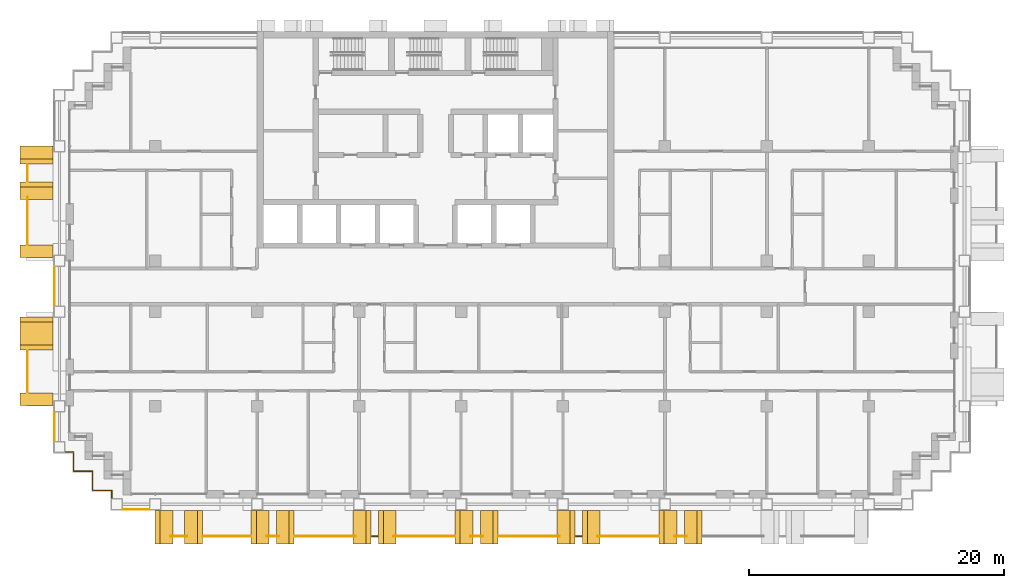
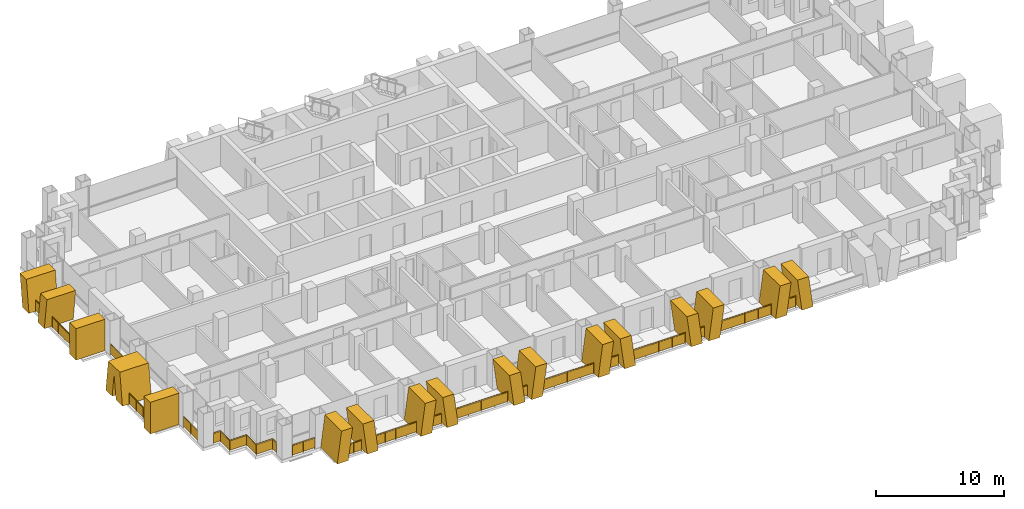
# One storey, part 15 of 19: 18 railings, 17 shading devices.
"""IFC4 building model written with IfcOpenShell, lengths in metres."""

from ifc_helpers import new_model, si_unit, direction, frame, origin, origin_2d, place, context, subcontext, project, spatial, polyline, rectangle, circle, outline, extrude, material, layer, layer_set, type_object, element, save


model = new_model("IFC4")

# Units and contexts
model_context = context("Model", 3, precision=1e-05, world=origin(), true_north=direction((0.0, 1.0)))
body_context = subcontext(model_context, "Body", "Model", "MODEL_VIEW")
ifc_project = project(units=[si_unit("LENGTHUNIT", "METRE"), si_unit("AREAUNIT", "SQUARE_METRE"), si_unit("VOLUMEUNIT", "CUBIC_METRE"), si_unit("PLANEANGLEUNIT", "RADIAN"), si_unit("MASSUNIT", "GRAM", prefix="KILO")], contexts=[model_context])

# Site, building, storey
site_placement = place(None, origin())
site = spatial("IfcSite", under=ifc_project, at=site_placement, CompositionType="ELEMENT")
building_placement = place(site_placement, origin())
building = spatial("IfcBuilding", under=site, at=building_placement, Name="Vidyagriha Tower", CompositionType="ELEMENT")
storey_placement = place(building_placement, frame((0.0, 0.0, 99.89990234375)))
storey = spatial("IfcBuildingStorey", under=building, at=storey_placement, Name="L26", CompositionType="ELEMENT", Elevation=99.89990234375)

# Railings
ifc_material_1 = material(Name="Steel ASTM A500 Grade C black painted", Category="steel")
railing_type_1 = type_object("IfcRailingType", Name="Balcony guard 1100", PredefinedType="BALUSTRADE", material=ifc_material_1)
railing_1_placement = place(storey_placement, frame((-32.0, 9.550048828125, 0.0)))
element("IfcRailing", 1, at=railing_1_placement, inside=storey, type_object=railing_type_1, Name="Balcony guard L26 R16.1-1", PredefinedType="BALUSTRADE", context=body_context, shape_type="SweptSolid", body=[
    extrude(circle(Radius=0.02490234375, at=origin_2d()), frame((0.0, 0.0, 1.0751953125), z_axis=(0.0, -1.0, 0.0), x_axis=(1.0, 0.0, 0.0)), (0.0, 0.0, 1.0), 1.300048828125),
    extrude(circle(Radius=0.02001953125, at=origin_2d()), origin(), (0.0, 0.0, 1.0), 1.050048828125),
    extrude(circle(Radius=0.02001953125, at=origin_2d()), frame((0.0, -0.64990234375, 0.0)), (0.0, 0.0, 1.0), 1.050048828125),
    extrude(circle(Radius=0.02001953125, at=origin_2d()), frame((0.0, -1.300048828125, 0.0)), (0.0, 0.0, 1.0), 1.050048828125),
    extrude(rectangle(XDim=0.010009765625, YDim=0.900146484375, at=origin_2d()), frame((0.0, 0.0, 0.550048828125), z_axis=(0.0, -1.0, 0.0), x_axis=(1.0, 0.0, 0.0)), (0.0, 0.0, 1.0), 1.300048828125),
])
railing_2_placement = place(storey_placement, frame((-32.0, 6.99658203125, 0.0)))
element("IfcRailing", 2, at=railing_2_placement, inside=storey, type_object=railing_type_1, Name="Balcony guard L26 R16.1-2", PredefinedType="BALUSTRADE", context=body_context, shape_type="SweptSolid", body=[
    extrude(circle(Radius=0.02490234375, at=origin_2d()), frame((0.0, 0.0, 1.0751953125), z_axis=(0.0, -1.0, 0.0), x_axis=(1.0, 0.0, 0.0)), (0.0, 0.0, 1.0), 3.696533203125),
    extrude(circle(Radius=0.02001953125, at=origin_2d()), origin(), (0.0, 0.0, 1.0), 1.050048828125),
    extrude(circle(Radius=0.02001953125, at=origin_2d()), frame((0.0, -0.924072265625, 0.0)), (0.0, 0.0, 1.0), 1.050048828125),
    extrude(circle(Radius=0.02001953125, at=origin_2d()), frame((0.0, -1.84814453125, 0.0)), (0.0, 0.0, 1.0), 1.050048828125),
    extrude(circle(Radius=0.02001953125, at=origin_2d()), frame((0.0, -2.7724609375, 0.0)), (0.0, 0.0, 1.0), 1.050048828125),
    extrude(circle(Radius=0.02001953125, at=origin_2d()), frame((0.0, -3.696533203125, 0.0)), (0.0, 0.0, 1.0), 1.050048828125),
    extrude(rectangle(XDim=0.010009765625, YDim=0.900146484375, at=origin_2d()), frame((0.0, 0.0, 0.550048828125), z_axis=(0.0, -1.0, 0.0), x_axis=(1.0, 0.0, 0.0)), (0.0, 0.0, 1.0), 3.696533203125),
])
railing_3_placement = place(storey_placement, frame((-32.0, -5.050048828125, 0.0)))
element("IfcRailing", 3, at=railing_3_placement, inside=storey, type_object=railing_type_1, Name="Balcony guard L26 R16.2-1", PredefinedType="BALUSTRADE", context=body_context, shape_type="SweptSolid", body=[
    extrude(circle(Radius=0.02490234375, at=origin_2d()), frame((0.0, 0.0, 1.0751953125), z_axis=(0.0, -1.0, 0.0), x_axis=(1.0, 0.0, 0.0)), (0.0, 0.0, 1.0), 3.25),
    extrude(circle(Radius=0.02001953125, at=origin_2d()), origin(), (0.0, 0.0, 1.0), 1.050048828125),
    extrude(circle(Radius=0.02001953125, at=origin_2d()), frame((0.0, -1.083251953125, 0.0)), (0.0, 0.0, 1.0), 1.050048828125),
    extrude(circle(Radius=0.02001953125, at=origin_2d()), frame((0.0, -2.166748046875, 0.0)), (0.0, 0.0, 1.0), 1.050048828125),
    extrude(circle(Radius=0.02001953125, at=origin_2d()), frame((0.0, -3.25, 0.0)), (0.0, 0.0, 1.0), 1.050048828125),
    extrude(rectangle(XDim=0.010009765625, YDim=0.900146484375, at=origin_2d()), frame((0.0, 0.0, 0.550048828125), z_axis=(0.0, -1.0, 0.0), x_axis=(1.0, 0.0, 0.0)), (0.0, 0.0, 1.0), 3.25),
])
railing_4_placement = place(storey_placement, frame((-20.80224609375, -19.60009765625, 0.0)))
element("IfcRailing", 4, at=railing_4_placement, inside=storey, type_object=railing_type_1, Name="Balcony guard L26 R23.1-1", PredefinedType="BALUSTRADE", context=body_context, shape_type="SweptSolid", body=[
    extrude(circle(Radius=0.02490234375, at=origin_2d()), frame((0.0, 0.0, 1.0751953125), z_axis=(1.0, 0.0, 0.0), x_axis=(0.0, 1.0, 0.0)), (0.0, 0.0, 1.0), 1.304443359375),
    extrude(circle(Radius=0.02001953125, at=origin_2d()), origin(), (0.0, 0.0, 1.0), 1.050048828125),
    extrude(circle(Radius=0.02001953125, at=origin_2d()), frame((0.65234375, 0.0, 0.0)), (0.0, 0.0, 1.0), 1.050048828125),
    extrude(circle(Radius=0.02001953125, at=origin_2d()), frame((1.304443359375, 0.0, 0.0)), (0.0, 0.0, 1.0), 1.050048828125),
    extrude(rectangle(XDim=0.010009765625, YDim=0.900146484375, at=origin_2d()), frame((0.0, 0.0, 0.550048828125), z_axis=(1.0, 0.0, 0.0), x_axis=(0.0, 1.0, 0.0)), (0.0, 0.0, 1.0), 1.304443359375),
])
railing_5_placement = place(storey_placement, frame((-18.25, -19.60009765625, 0.0)))
element("IfcRailing", 5, at=railing_5_placement, inside=storey, type_object=railing_type_1, Name="Balcony guard L26 R23.1-2", PredefinedType="BALUSTRADE", context=body_context, shape_type="SweptSolid", body=[
    extrude(circle(Radius=0.02490234375, at=origin_2d()), frame((0.0, 0.0, 1.0751953125), z_axis=(1.0, 0.0, 0.0), x_axis=(0.0, 1.0, 0.0)), (0.0, 0.0, 1.0), 3.739990234375),
    extrude(circle(Radius=0.02001953125, at=origin_2d()), origin(), (0.0, 0.0, 1.0), 1.050048828125),
    extrude(circle(Radius=0.02001953125, at=origin_2d()), frame((0.93505859375, 0.0, 0.0)), (0.0, 0.0, 1.0), 1.050048828125),
    extrude(circle(Radius=0.02001953125, at=origin_2d()), frame((1.8701171875, 0.0, 0.0)), (0.0, 0.0, 1.0), 1.050048828125),
    extrude(circle(Radius=0.02001953125, at=origin_2d()), frame((2.804931640625, 0.0, 0.0)), (0.0, 0.0, 1.0), 1.050048828125),
    extrude(circle(Radius=0.02001953125, at=origin_2d()), frame((3.739990234375, 0.0, 0.0)), (0.0, 0.0, 1.0), 1.050048828125),
    extrude(rectangle(XDim=0.010009765625, YDim=0.900146484375, at=origin_2d()), frame((0.0, 0.0, 0.550048828125), z_axis=(1.0, 0.0, 0.0), x_axis=(0.0, 1.0, 0.0)), (0.0, 0.0, 1.0), 3.739990234375),
])
railing_6_placement = place(storey_placement, frame((-13.258544921875, -19.60009765625, 0.0)))
element("IfcRailing", 6, at=railing_6_placement, inside=storey, type_object=railing_type_1, Name="Balcony guard L26 R23.1-3", PredefinedType="BALUSTRADE", context=body_context, shape_type="SweptSolid", body=[
    extrude(circle(Radius=0.02490234375, at=origin_2d()), frame((0.0, 0.0, 1.0751953125), z_axis=(1.0, 0.0, 0.0), x_axis=(0.0, 1.0, 0.0)), (0.0, 0.0, 1.0), 0.967041015625),
    extrude(circle(Radius=0.02001953125, at=origin_2d()), origin(), (0.0, 0.0, 1.0), 1.050048828125),
    extrude(circle(Radius=0.02001953125, at=origin_2d()), frame((0.967041015625, 0.0, 0.0)), (0.0, 0.0, 1.0), 1.050048828125),
    extrude(rectangle(XDim=0.010009765625, YDim=0.900146484375, at=origin_2d()), frame((0.0, 0.0, 0.550048828125), z_axis=(1.0, 0.0, 0.0), x_axis=(0.0, 1.0, 0.0)), (0.0, 0.0, 1.0), 0.967041015625),
])
railing_7_placement = place(storey_placement, frame((-11.0400390625, -19.60009765625, 0.0)))
element("IfcRailing", 7, at=railing_7_placement, inside=storey, type_object=railing_type_1, Name="Balcony guard L26 R23.1-4", PredefinedType="BALUSTRADE", context=body_context, shape_type="SweptSolid", body=[
    extrude(circle(Radius=0.02490234375, at=origin_2d()), frame((0.0, 0.0, 1.0751953125), z_axis=(1.0, 0.0, 0.0), x_axis=(0.0, 1.0, 0.0)), (0.0, 0.0, 1.0), 4.773681640625),
    extrude(circle(Radius=0.02001953125, at=origin_2d()), origin(), (0.0, 0.0, 1.0), 1.050048828125),
    extrude(circle(Radius=0.02001953125, at=origin_2d()), frame((1.193359375, 0.0, 0.0)), (0.0, 0.0, 1.0), 1.050048828125),
    extrude(circle(Radius=0.02001953125, at=origin_2d()), frame((2.38671875, 0.0, 0.0)), (0.0, 0.0, 1.0), 1.050048828125),
    extrude(circle(Radius=0.02001953125, at=origin_2d()), frame((3.580322265625, 0.0, 0.0)), (0.0, 0.0, 1.0), 1.050048828125),
    extrude(circle(Radius=0.02001953125, at=origin_2d()), frame((4.773681640625, 0.0, 0.0)), (0.0, 0.0, 1.0), 1.050048828125),
    extrude(rectangle(XDim=0.010009765625, YDim=0.900146484375, at=origin_2d()), frame((0.0, 0.0, 0.550048828125), z_axis=(1.0, 0.0, 0.0), x_axis=(0.0, 1.0, 0.0)), (0.0, 0.0, 1.0), 4.773681640625),
])
railing_8_placement = place(storey_placement, frame((-5.014892578125, -19.60009765625, 0.0)))
element("IfcRailing", 8, at=railing_8_placement, inside=storey, type_object=railing_type_1, Name="Balcony guard L26 R23.1-5", PredefinedType="BALUSTRADE", context=body_context, shape_type="SweptSolid", body=[
    extrude(circle(Radius=0.02490234375, at=origin_2d()), frame((0.0, 0.0, 1.0751953125), z_axis=(1.0, 0.0, 0.0), x_axis=(0.0, 1.0, 0.0)), (0.0, 0.0, 1.0), 0.47998046875),
    extrude(circle(Radius=0.02001953125, at=origin_2d()), origin(), (0.0, 0.0, 1.0), 1.050048828125),
    extrude(circle(Radius=0.02001953125, at=origin_2d()), frame((0.47998046875, 0.0, 0.0)), (0.0, 0.0, 1.0), 1.050048828125),
    extrude(rectangle(XDim=0.010009765625, YDim=0.900146484375, at=origin_2d()), frame((0.0, 0.0, 0.550048828125), z_axis=(1.0, 0.0, 0.0), x_axis=(0.0, 1.0, 0.0)), (0.0, 0.0, 1.0), 0.47998046875),
])
railing_9_placement = place(storey_placement, frame((-3.28369140625, -19.60009765625, 0.0)))
element("IfcRailing", 9, at=railing_9_placement, inside=storey, type_object=railing_type_1, Name="Balcony guard L26 R23.1-6", PredefinedType="BALUSTRADE", context=body_context, shape_type="SweptSolid", body=[
    extrude(circle(Radius=0.02490234375, at=origin_2d()), frame((0.0, 0.0, 1.0751953125), z_axis=(1.0, 0.0, 0.0), x_axis=(0.0, 1.0, 0.0)), (0.0, 0.0, 1.0), 4.773681640625),
    extrude(circle(Radius=0.02001953125, at=origin_2d()), origin(), (0.0, 0.0, 1.0), 1.050048828125),
    extrude(circle(Radius=0.02001953125, at=origin_2d()), frame((1.193359375, 0.0, 0.0)), (0.0, 0.0, 1.0), 1.050048828125),
    extrude(circle(Radius=0.02001953125, at=origin_2d()), frame((2.38671875, 0.0, 0.0)), (0.0, 0.0, 1.0), 1.050048828125),
    extrude(circle(Radius=0.02001953125, at=origin_2d()), frame((3.580322265625, 0.0, 0.0)), (0.0, 0.0, 1.0), 1.050048828125),
    extrude(circle(Radius=0.02001953125, at=origin_2d()), frame((4.773681640625, 0.0, 0.0)), (0.0, 0.0, 1.0), 1.050048828125),
    extrude(rectangle(XDim=0.010009765625, YDim=0.900146484375, at=origin_2d()), frame((0.0, 0.0, 0.550048828125), z_axis=(1.0, 0.0, 0.0), x_axis=(0.0, 1.0, 0.0)), (0.0, 0.0, 1.0), 4.773681640625),
])
railing_10_placement = place(storey_placement, frame((2.741455078125, -19.60009765625, 0.0)))
element("IfcRailing", 10, at=railing_10_placement, inside=storey, type_object=railing_type_1, Name="Balcony guard L26 R23.1-7", PredefinedType="BALUSTRADE", context=body_context, shape_type="SweptSolid", body=[
    extrude(circle(Radius=0.02490234375, at=origin_2d()), frame((0.0, 0.0, 1.0751953125), z_axis=(1.0, 0.0, 0.0), x_axis=(0.0, 1.0, 0.0)), (0.0, 0.0, 1.0), 0.967041015625),
    extrude(circle(Radius=0.02001953125, at=origin_2d()), origin(), (0.0, 0.0, 1.0), 1.050048828125),
    extrude(circle(Radius=0.02001953125, at=origin_2d()), frame((0.967041015625, 0.0, 0.0)), (0.0, 0.0, 1.0), 1.050048828125),
    extrude(rectangle(XDim=0.010009765625, YDim=0.900146484375, at=origin_2d()), frame((0.0, 0.0, 0.550048828125), z_axis=(1.0, 0.0, 0.0), x_axis=(0.0, 1.0, 0.0)), (0.0, 0.0, 1.0), 0.967041015625),
])
railing_11_placement = place(storey_placement, frame((4.9599609375, -19.60009765625, 0.0)))
element("IfcRailing", 11, at=railing_11_placement, inside=storey, type_object=railing_type_1, Name="Balcony guard L26 R23.1-8", PredefinedType="BALUSTRADE", context=body_context, shape_type="SweptSolid", body=[
    extrude(circle(Radius=0.02490234375, at=origin_2d()), frame((0.0, 0.0, 1.0751953125), z_axis=(1.0, 0.0, 0.0), x_axis=(0.0, 1.0, 0.0)), (0.0, 0.0, 1.0), 4.773681640625),
    extrude(circle(Radius=0.02001953125, at=origin_2d()), origin(), (0.0, 0.0, 1.0), 1.050048828125),
    extrude(circle(Radius=0.02001953125, at=origin_2d()), frame((1.193359375, 0.0, 0.0)), (0.0, 0.0, 1.0), 1.050048828125),
    extrude(circle(Radius=0.02001953125, at=origin_2d()), frame((2.38671875, 0.0, 0.0)), (0.0, 0.0, 1.0), 1.050048828125),
    extrude(circle(Radius=0.02001953125, at=origin_2d()), frame((3.580322265625, 0.0, 0.0)), (0.0, 0.0, 1.0), 1.050048828125),
    extrude(circle(Radius=0.02001953125, at=origin_2d()), frame((4.773681640625, 0.0, 0.0)), (0.0, 0.0, 1.0), 1.050048828125),
    extrude(rectangle(XDim=0.010009765625, YDim=0.900146484375, at=origin_2d()), frame((0.0, 0.0, 0.550048828125), z_axis=(1.0, 0.0, 0.0), x_axis=(0.0, 1.0, 0.0)), (0.0, 0.0, 1.0), 4.773681640625),
])
railing_12_placement = place(storey_placement, frame((10.985107421875, -19.60009765625, 0.0)))
element("IfcRailing", 12, at=railing_12_placement, inside=storey, type_object=railing_type_1, Name="Balcony guard L26 R23.1-9", PredefinedType="BALUSTRADE", context=body_context, shape_type="SweptSolid", body=[
    extrude(circle(Radius=0.02490234375, at=origin_2d()), frame((0.0, 0.0, 1.0751953125), z_axis=(1.0, 0.0, 0.0), x_axis=(0.0, 1.0, 0.0)), (0.0, 0.0, 1.0), 0.47998046875),
    extrude(circle(Radius=0.02001953125, at=origin_2d()), origin(), (0.0, 0.0, 1.0), 1.050048828125),
    extrude(circle(Radius=0.02001953125, at=origin_2d()), frame((0.47998046875, 0.0, 0.0)), (0.0, 0.0, 1.0), 1.050048828125),
    extrude(rectangle(XDim=0.010009765625, YDim=0.900146484375, at=origin_2d()), frame((0.0, 0.0, 0.550048828125), z_axis=(1.0, 0.0, 0.0), x_axis=(0.0, 1.0, 0.0)), (0.0, 0.0, 1.0), 0.47998046875),
])
railing_13_placement = place(storey_placement, frame((12.71630859375, -19.60009765625, 0.0)))
element("IfcRailing", 13, at=railing_13_placement, inside=storey, type_object=railing_type_1, Name="Balcony guard L26 R23.1-10", PredefinedType="BALUSTRADE", context=body_context, shape_type="SweptSolid", body=[
    extrude(circle(Radius=0.02490234375, at=origin_2d()), frame((0.0, 0.0, 1.0751953125), z_axis=(1.0, 0.0, 0.0), x_axis=(0.0, 1.0, 0.0)), (0.0, 0.0, 1.0), 4.773681640625),
    extrude(circle(Radius=0.02001953125, at=origin_2d()), origin(), (0.0, 0.0, 1.0), 1.050048828125),
    extrude(circle(Radius=0.02001953125, at=origin_2d()), frame((1.193359375, 0.0, 0.0)), (0.0, 0.0, 1.0), 1.050048828125),
    extrude(circle(Radius=0.02001953125, at=origin_2d()), frame((2.38671875, 0.0, 0.0)), (0.0, 0.0, 1.0), 1.050048828125),
    extrude(circle(Radius=0.02001953125, at=origin_2d()), frame((3.580322265625, 0.0, 0.0)), (0.0, 0.0, 1.0), 1.050048828125),
    extrude(circle(Radius=0.02001953125, at=origin_2d()), frame((4.773681640625, 0.0, 0.0)), (0.0, 0.0, 1.0), 1.050048828125),
    extrude(rectangle(XDim=0.010009765625, YDim=0.900146484375, at=origin_2d()), frame((0.0, 0.0, 0.550048828125), z_axis=(1.0, 0.0, 0.0), x_axis=(0.0, 1.0, 0.0)), (0.0, 0.0, 1.0), 4.773681640625),
])
railing_14_placement = place(storey_placement, frame((18.741455078125, -19.60009765625, 0.0)))
element("IfcRailing", 14, at=railing_14_placement, inside=storey, type_object=railing_type_1, Name="Balcony guard L26 R23.1-11", PredefinedType="BALUSTRADE", context=body_context, shape_type="SweptSolid", body=[
    extrude(circle(Radius=0.02490234375, at=origin_2d()), frame((0.0, 0.0, 1.0751953125), z_axis=(1.0, 0.0, 0.0), x_axis=(0.0, 1.0, 0.0)), (0.0, 0.0, 1.0), 0.967041015625),
    extrude(circle(Radius=0.02001953125, at=origin_2d()), origin(), (0.0, 0.0, 1.0), 1.050048828125),
    extrude(circle(Radius=0.02001953125, at=origin_2d()), frame((0.967041015625, 0.0, 0.0)), (0.0, 0.0, 1.0), 1.050048828125),
    extrude(rectangle(XDim=0.010009765625, YDim=0.900146484375, at=origin_2d()), frame((0.0, 0.0, 0.550048828125), z_axis=(1.0, 0.0, 0.0), x_axis=(0.0, 1.0, 0.0)), (0.0, 0.0, 1.0), 0.967041015625),
])

# Shading devices
ifc_material_2 = material(Name="Precast concrete C40/50 with buff brick facing", Category="concrete")
ifc_layer_1 = layer(ifc_material_2, 1.0)
ifc_layer_set_1 = layer_set([ifc_layer_1], Name="Precast concrete C40/50 with buff brick facing")
shading_device_type_1 = type_object("IfcShadingDeviceType", Name="Brick-faced blade fin arm leaning 8 degrees", PredefinedType="USERDEFINED", material=ifc_layer_set_1)
shading_device_1_placement = place(storey_placement, frame((-31.300048828125, 8.199951171875, 0.0), z_axis=(0.0, 0.0, 1.0), x_axis=(0.0, -1.0, 0.0)))
element("IfcShadingDevice", 15, at=shading_device_1_placement, inside=storey, type_object=shading_device_type_1, Name="Leaning blade fin L26 R16.290a", ObjectType="BLADE FIN", PredefinedType="USERDEFINED", context=body_context, shape_type="SweptSolid", body=[
    extrude(outline(polyline([(0.0, 0.0), (1.0, 0.0), (1.39990234375, 3.0), (0.39990234375, 3.0), (0.0, 0.0)])), frame((0.0, 1.300048828125, 0.0), z_axis=(0.0, -1.0, 0.0), x_axis=(1.0, 0.0, 0.0)), (0.0, 0.0, 1.0), 2.60009765625),
])
shading_device_2_placement = place(storey_placement, frame((-31.300048828125, 11.0, 0.0), z_axis=(0.0, 0.0, 1.0), x_axis=(0.0, -1.0, 0.0)))
element("IfcShadingDevice", 16, at=shading_device_2_placement, inside=storey, type_object=shading_device_type_1, Name="Leaning blade fin L26 R16.290b", ObjectType="BLADE FIN", PredefinedType="USERDEFINED", context=body_context, shape_type="SweptSolid", body=[
    extrude(outline(polyline([(0.39990234375, 0.0), (1.39990234375, 0.0), (1.0, 3.0), (0.0, 3.0), (0.39990234375, 0.0)])), frame((0.0, 1.300048828125, 0.0), z_axis=(0.0, -1.0, 0.0), x_axis=(1.0, 0.0, 0.0)), (0.0, 0.0, 1.0), 2.60009765625),
])
shading_device_3_placement = place(storey_placement, frame((-19.685791015625, -18.89990234375, 0.0)))
element("IfcShadingDevice", 17, at=shading_device_3_placement, inside=storey, type_object=shading_device_type_1, Name="Leaning blade fin L26 R23.190a", ObjectType="BLADE FIN", PredefinedType="USERDEFINED", context=body_context, shape_type="SweptSolid", body=[
    extrude(outline(polyline([(0.3857421875, 0.0), (1.3857421875, 0.0), (1.0, 3.0), (0.0, 3.0), (0.3857421875, 0.0)])), frame((0.0, 1.300048828125, 0.0), z_axis=(0.0, -1.0, 0.0), x_axis=(1.0, 0.0, 0.0)), (0.0, 0.0, 1.0), 2.60009765625),
])
shading_device_4_placement = place(storey_placement, frame((-22.0, -18.89990234375, 0.0)))
element("IfcShadingDevice", 18, at=shading_device_4_placement, inside=storey, type_object=shading_device_type_1, Name="Leaning blade fin L26 R23.190b", ObjectType="BLADE FIN", PredefinedType="USERDEFINED", context=body_context, shape_type="SweptSolid", body=[
    extrude(outline(polyline([(0.0, 0.0), (1.0, 0.0), (1.3857421875, 3.0), (0.3857421875, 3.0), (0.0, 0.0)])), frame((0.0, 1.300048828125, 0.0), z_axis=(0.0, -1.0, 0.0), x_axis=(1.0, 0.0, 0.0)), (0.0, 0.0, 1.0), 2.60009765625),
])
shading_device_5_placement = place(storey_placement, frame((-12.485107421875, -18.89990234375, 0.0)))
element("IfcShadingDevice", 19, at=shading_device_5_placement, inside=storey, type_object=shading_device_type_1, Name="Leaning blade fin L26 R23.990a", ObjectType="BLADE FIN", PredefinedType="USERDEFINED", context=body_context, shape_type="SweptSolid", body=[
    extrude(outline(polyline([(0.39501953125, 0.0), (1.39501953125, 0.0), (1.0, 3.0), (0.0, 3.0), (0.39501953125, 0.0)])), frame((0.0, 1.300048828125, 0.0), z_axis=(0.0, -1.0, 0.0), x_axis=(1.0, 0.0, 0.0)), (0.0, 0.0, 1.0), 2.60009765625),
])
for number, where, name in (
    (20, (-14.4599609375, -18.89990234375, 0.0), "Leaning blade fin L26 R23.990b"),
    (21, (-4.485107421875, -18.89990234375, 0.0), "Leaning blade fin L26 R23.1790a"),
):
    element("IfcShadingDevice", number, at=place(storey_placement, frame(where)), inside=storey, type_object=shading_device_type_1, Name=name, ObjectType="BLADE FIN", PredefinedType="USERDEFINED", context=body_context, shape_type="SweptSolid", body=[
        extrude(outline(polyline([(0.0, 0.0), (1.0, 0.0), (1.39501953125, 3.0), (0.39501953125, 3.0), (0.0, 0.0)])), frame((0.0, 1.300048828125, 0.0), z_axis=(0.0, -1.0, 0.0), x_axis=(1.0, 0.0, 0.0)), (0.0, 0.0, 1.0), 2.60009765625),
    ])
for number, where, name in (
    (22, (-6.4599609375, -18.89990234375, 0.0), "Leaning blade fin L26 R23.1790b"),
    (23, (3.514892578125, -18.89990234375, 0.0), "Leaning blade fin L26 R23.2590a"),
):
    element("IfcShadingDevice", number, at=place(storey_placement, frame(where)), inside=storey, type_object=shading_device_type_1, Name=name, ObjectType="BLADE FIN", PredefinedType="USERDEFINED", context=body_context, shape_type="SweptSolid", body=[
        extrude(outline(polyline([(0.39501953125, 0.0), (1.39501953125, 0.0), (1.0, 3.0), (0.0, 3.0), (0.39501953125, 0.0)])), frame((0.0, 1.300048828125, 0.0), z_axis=(0.0, -1.0, 0.0), x_axis=(1.0, 0.0, 0.0)), (0.0, 0.0, 1.0), 2.60009765625),
    ])
for number, where, name in (
    (24, (1.5400390625, -18.89990234375, 0.0), "Leaning blade fin L26 R23.2590b"),
    (25, (11.514892578125, -18.89990234375, 0.0), "Leaning blade fin L26 R23.3390a"),
):
    element("IfcShadingDevice", number, at=place(storey_placement, frame(where)), inside=storey, type_object=shading_device_type_1, Name=name, ObjectType="BLADE FIN", PredefinedType="USERDEFINED", context=body_context, shape_type="SweptSolid", body=[
        extrude(outline(polyline([(0.0, 0.0), (1.0, 0.0), (1.39501953125, 3.0), (0.39501953125, 3.0), (0.0, 0.0)])), frame((0.0, 1.300048828125, 0.0), z_axis=(0.0, -1.0, 0.0), x_axis=(1.0, 0.0, 0.0)), (0.0, 0.0, 1.0), 2.60009765625),
    ])
for number, where, name in (
    (26, (9.5400390625, -18.89990234375, 0.0), "Leaning blade fin L26 R23.3390b"),
    (27, (19.514892578125, -18.89990234375, 0.0), "Leaning blade fin L26 R23.4190a"),
):
    element("IfcShadingDevice", number, at=place(storey_placement, frame(where)), inside=storey, type_object=shading_device_type_1, Name=name, ObjectType="BLADE FIN", PredefinedType="USERDEFINED", context=body_context, shape_type="SweptSolid", body=[
        extrude(outline(polyline([(0.39501953125, 0.0), (1.39501953125, 0.0), (1.0, 3.0), (0.0, 3.0), (0.39501953125, 0.0)])), frame((0.0, 1.300048828125, 0.0), z_axis=(0.0, -1.0, 0.0), x_axis=(1.0, 0.0, 0.0)), (0.0, 0.0, 1.0), 2.60009765625),
    ])
shading_device_6_placement = place(storey_placement, frame((17.5400390625, -18.89990234375, 0.0)))
element("IfcShadingDevice", 28, at=shading_device_6_placement, inside=storey, type_object=shading_device_type_1, Name="Leaning blade fin L26 R23.4190b", ObjectType="BLADE FIN", PredefinedType="USERDEFINED", context=body_context, shape_type="SweptSolid", body=[
    extrude(outline(polyline([(0.0, 0.0), (1.0, 0.0), (1.39501953125, 3.0), (0.39501953125, 3.0), (0.0, 0.0)])), frame((0.0, 1.300048828125, 0.0), z_axis=(0.0, -1.0, 0.0), x_axis=(1.0, 0.0, 0.0)), (0.0, 0.0, 1.0), 2.60009765625),
])
ifc_material_3 = material(Name="Precast concrete C40/50 with buff brick facing", Category="concrete")
ifc_layer_2 = layer(ifc_material_3, 1.0)
ifc_layer_set_2 = layer_set([ifc_layer_2], Name="Precast concrete C40/50 with buff brick facing")
shading_device_type_2 = type_object("IfcShadingDeviceType", Name="Brick-faced blade fin forking 8 degrees", PredefinedType="USERDEFINED", material=ifc_layer_set_2)
shading_device_7_placement = place(storey_placement, frame((-31.300048828125, -2.39990234375, 0.0), z_axis=(0.0, 0.0, 1.0), x_axis=(0.0, -1.0, 0.0)))
element("IfcShadingDevice", 29, at=shading_device_7_placement, inside=storey, type_object=shading_device_type_2, Name="Forked blade fin L26 R16.1590a", ObjectType="BLADE FIN", PredefinedType="USERDEFINED", context=body_context, shape_type="SweptSolid", body=[
    extrude(outline(polyline([(1.0, 0.0), (1.300048828125, 2.25), (1.60009765625, 0.0), (2.60009765625, 0.0), (2.199951171875, 3.0), (0.39990234375, 3.0), (0.0, 0.0), (1.0, 0.0)])), frame((0.0, 1.300048828125, 0.0), z_axis=(0.0, -1.0, 0.0), x_axis=(1.0, 0.0, 0.0)), (0.0, 0.0, 1.0), 2.60009765625),
])
ifc_material_4 = material(Name="Precast concrete C40/50 with buff brick facing", Category="concrete")
ifc_layer_3 = layer(ifc_material_4, 1.0)
ifc_layer_set_3 = layer_set([ifc_layer_3], Name="Precast concrete C40/50 with buff brick facing")
shading_device_type_3 = type_object("IfcShadingDeviceType", Name="Brick-faced blade fin stem 1000", PredefinedType="USERDEFINED", material=ifc_layer_set_3)
for number, where, z_axis, x_axis, name in (
    (30, (-31.300048828125, 3.25, 0.0), (0.0, 0.0, 1.0), (0.0, -1.0, 0.0), "Stem blade fin L26 R16.1190a"),
    (31, (-31.300048828125, -8.35009765625, 0.0), (0.0, 0.0, 1.0), (0.0, -1.0, 0.0), "Stem blade fin L26 R16.2330a"),
):
    element("IfcShadingDevice", number, at=place(storey_placement, frame(where, z_axis=z_axis, x_axis=x_axis)), inside=storey, type_object=shading_device_type_3, Name=name, ObjectType="BLADE FIN", PredefinedType="USERDEFINED", context=body_context, shape_type="SweptSolid", body=[
        extrude(outline(polyline([(0.0, 0.0), (1.0, 0.0), (1.0, 3.0), (0.0, 3.0), (0.0, 0.0)])), frame((0.0, 1.300048828125, 0.0), z_axis=(0.0, -1.0, 0.0), x_axis=(1.0, 0.0, 0.0)), (0.0, 0.0, 1.0), 2.60009765625),
    ])

# Railings
ifc_material_5 = material(Name="Steel ASTM A500 Grade C black painted", Category="steel")
railing_type_2 = type_object("IfcRailingType", Name="Gallery guard 1100", PredefinedType="GUARDRAIL", material=ifc_material_5)
railing_15_placement = place(storey_placement, frame((-29.89990234375, -12.1201171875, 0.0)))
element("IfcRailing", 32, at=railing_15_placement, inside=storey, type_object=railing_type_2, Name="Gallery guard L26 1", PredefinedType="GUARDRAIL", context=body_context, shape_type="SweptSolid", body=[
    extrude(circle(Radius=0.02490234375, at=origin_2d()), frame((0.0, 0.0, 1.0751953125), z_axis=(0.0, 1.0, 0.0), x_axis=(-1.0, 0.0, 0.0)), (0.0, 0.0, 1.0), 2.240234375),
    extrude(circle(Radius=0.02001953125, at=origin_2d()), origin(), (0.0, 0.0, 1.0), 1.050048828125),
    extrude(circle(Radius=0.02001953125, at=origin_2d()), frame((0.0, 1.1201171875, 0.0)), (0.0, 0.0, 1.0), 1.050048828125),
    extrude(circle(Radius=0.02001953125, at=origin_2d()), frame((0.0, 2.240234375, 0.0)), (0.0, 0.0, 1.0), 1.050048828125),
    extrude(rectangle(XDim=0.010009765625, YDim=0.900146484375, at=origin_2d()), frame((0.0, 0.0, 0.550048828125), z_axis=(0.0, 1.0, 0.0), x_axis=(-1.0, 0.0, 0.0)), (0.0, 0.0, 1.0), 2.240234375),
])
railing_16_placement = place(storey_placement, frame((-29.89990234375, -1.52001953125, 0.0)))
element("IfcRailing", 33, at=railing_16_placement, inside=storey, type_object=railing_type_2, Name="Gallery guard L26 2", PredefinedType="GUARDRAIL", context=body_context, shape_type="SweptSolid", body=[
    extrude(circle(Radius=0.02490234375, at=origin_2d()), frame((0.0, 0.0, 1.0751953125), z_axis=(0.0, 1.0, 0.0), x_axis=(-1.0, 0.0, 0.0)), (0.0, 0.0, 1.0), 3.0400390625),
    extrude(circle(Radius=0.02001953125, at=origin_2d()), origin(), (0.0, 0.0, 1.0), 1.050048828125),
    extrude(circle(Radius=0.02001953125, at=origin_2d()), frame((0.0, 1.013427734375, 0.0)), (0.0, 0.0, 1.0), 1.050048828125),
    extrude(circle(Radius=0.02001953125, at=origin_2d()), frame((0.0, 2.026611328125, 0.0)), (0.0, 0.0, 1.0), 1.050048828125),
    extrude(circle(Radius=0.02001953125, at=origin_2d()), frame((0.0, 3.0400390625, 0.0)), (0.0, 0.0, 1.0), 1.050048828125),
    extrude(rectangle(XDim=0.010009765625, YDim=0.900146484375, at=origin_2d()), frame((0.0, 0.0, 0.550048828125), z_axis=(0.0, 1.0, 0.0), x_axis=(-1.0, 0.0, 0.0)), (0.0, 0.0, 1.0), 3.0400390625),
])
railing_17_placement = place(storey_placement, frame((-25.39990234375, -16.6201171875, 0.0)))
element("IfcRailing", 34, at=railing_17_placement, inside=storey, type_object=railing_type_2, Name="Gallery guard L26 4", PredefinedType="GUARDRAIL", context=body_context, shape_type="SweptSolid", body=[
    extrude(circle(Radius=0.02490234375, at=origin_2d()), frame((0.0, 0.0, 1.0751953125), z_axis=(0.0, 1.0, 0.0), x_axis=(-1.0, 0.0, 0.0)), (0.0, 0.0, 1.0), 0.6201171875),
    extrude(circle(Radius=0.02490234375, at=origin_2d()), frame((0.0, 0.6201171875, 1.0751953125), z_axis=(-1.0, 0.0, 0.0), x_axis=(0.0, -1.0, 0.0)), (0.0, 0.0, 1.0), 1.5),
    extrude(circle(Radius=0.02490234375, at=origin_2d()), frame((-1.5, 0.6201171875, 1.0751953125), z_axis=(0.0, 1.0, 0.0), x_axis=(-1.0, 0.0, 0.0)), (0.0, 0.0, 1.0), 1.5),
    extrude(circle(Radius=0.02490234375, at=origin_2d()), frame((-1.5, 2.1201171875, 1.0751953125), z_axis=(-1.0, 0.0, 0.0), x_axis=(0.0, -1.0, 0.0)), (0.0, 0.0, 1.0), 1.5),
    extrude(circle(Radius=0.02490234375, at=origin_2d()), frame((-3.0, 2.1201171875, 1.0751953125), z_axis=(0.0, 1.0, 0.0), x_axis=(-1.0, 0.0, 0.0)), (0.0, 0.0, 1.0), 1.5),
    extrude(circle(Radius=0.02490234375, at=origin_2d()), frame((-3.0, 3.6201171875, 1.0751953125), z_axis=(-1.0, 0.0, 0.0), x_axis=(0.0, -1.0, 0.0)), (0.0, 0.0, 1.0), 0.6201171875),
    extrude(circle(Radius=0.02001953125, at=origin_2d()), origin(), (0.0, 0.0, 1.0), 1.050048828125),
    extrude(circle(Radius=0.02001953125, at=origin_2d()), frame((0.0, 0.6201171875, 0.0)), (0.0, 0.0, 1.0), 1.050048828125),
    extrude(circle(Radius=0.02001953125, at=origin_2d()), frame((-1.5, 0.6201171875, 0.0)), (0.0, 0.0, 1.0), 1.050048828125),
    extrude(circle(Radius=0.02001953125, at=origin_2d()), frame((-1.5, 2.1201171875, 0.0)), (0.0, 0.0, 1.0), 1.050048828125),
    extrude(circle(Radius=0.02001953125, at=origin_2d()), frame((-3.0, 2.1201171875, 0.0)), (0.0, 0.0, 1.0), 1.050048828125),
    extrude(circle(Radius=0.02001953125, at=origin_2d()), frame((-3.0, 3.6201171875, 0.0)), (0.0, 0.0, 1.0), 1.050048828125),
    extrude(circle(Radius=0.02001953125, at=origin_2d()), frame((-3.6201171875, 3.6201171875, 0.0)), (0.0, 0.0, 1.0), 1.050048828125),
    extrude(rectangle(XDim=0.010009765625, YDim=0.900146484375, at=origin_2d()), frame((0.0, 0.0, 0.550048828125), z_axis=(0.0, 1.0, 0.0), x_axis=(-1.0, 0.0, 0.0)), (0.0, 0.0, 1.0), 0.6201171875),
    extrude(rectangle(XDim=0.010009765625, YDim=0.900146484375, at=origin_2d()), frame((0.0, 0.6201171875, 0.550048828125), z_axis=(-1.0, 0.0, 0.0), x_axis=(0.0, -1.0, 0.0)), (0.0, 0.0, 1.0), 1.5),
    extrude(rectangle(XDim=0.010009765625, YDim=0.900146484375, at=origin_2d()), frame((-1.5, 0.6201171875, 0.550048828125), z_axis=(0.0, 1.0, 0.0), x_axis=(-1.0, 0.0, 0.0)), (0.0, 0.0, 1.0), 1.5),
    extrude(rectangle(XDim=0.010009765625, YDim=0.900146484375, at=origin_2d()), frame((-1.5, 2.1201171875, 0.550048828125), z_axis=(-1.0, 0.0, 0.0), x_axis=(0.0, -1.0, 0.0)), (0.0, 0.0, 1.0), 1.5),
    extrude(rectangle(XDim=0.010009765625, YDim=0.900146484375, at=origin_2d()), frame((-3.0, 2.1201171875, 0.550048828125), z_axis=(0.0, 1.0, 0.0), x_axis=(-1.0, 0.0, 0.0)), (0.0, 0.0, 1.0), 1.5),
    extrude(rectangle(XDim=0.010009765625, YDim=0.900146484375, at=origin_2d()), frame((-3.0, 3.6201171875, 0.550048828125), z_axis=(-1.0, 0.0, 0.0), x_axis=(0.0, -1.0, 0.0)), (0.0, 0.0, 1.0), 0.6201171875),
])
railing_18_placement = place(storey_placement, frame((-22.47998046875, -17.5, 0.0)))
element("IfcRailing", 35, at=railing_18_placement, inside=storey, type_object=railing_type_2, Name="Gallery guard L26 6", PredefinedType="GUARDRAIL", context=body_context, shape_type="SweptSolid", body=[
    extrude(circle(Radius=0.02490234375, at=origin_2d()), frame((0.0, 0.0, 1.0751953125), z_axis=(-1.0, 0.0, 0.0), x_axis=(0.0, -1.0, 0.0)), (0.0, 0.0, 1.0), 2.0400390625),
    extrude(circle(Radius=0.02001953125, at=origin_2d()), origin(), (0.0, 0.0, 1.0), 1.050048828125),
    extrude(circle(Radius=0.02001953125, at=origin_2d()), frame((-1.02001953125, 0.0, 0.0)), (0.0, 0.0, 1.0), 1.050048828125),
    extrude(circle(Radius=0.02001953125, at=origin_2d()), frame((-2.0400390625, 0.0, 0.0)), (0.0, 0.0, 1.0), 1.050048828125),
    extrude(rectangle(XDim=0.010009765625, YDim=0.900146484375, at=origin_2d()), frame((0.0, 0.0, 0.550048828125), z_axis=(-1.0, 0.0, 0.0), x_axis=(0.0, -1.0, 0.0)), (0.0, 0.0, 1.0), 2.0400390625),
])

save(model, "model.ifc")
